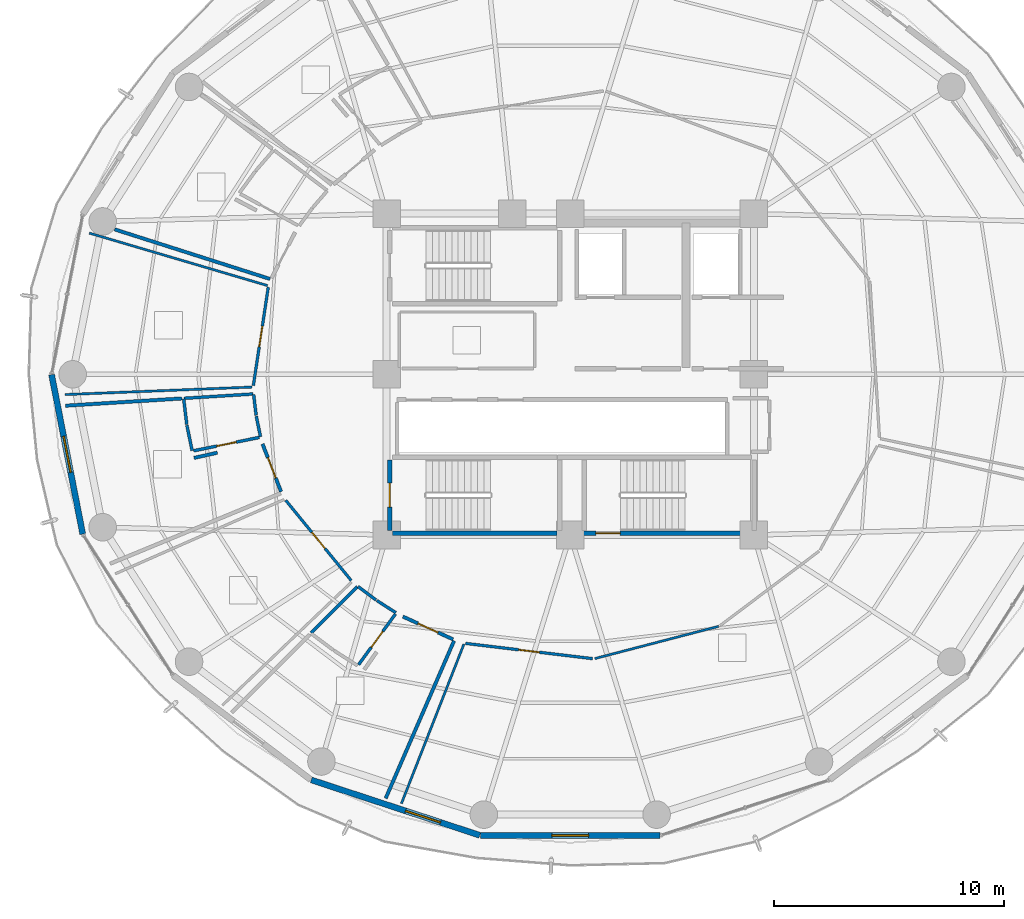
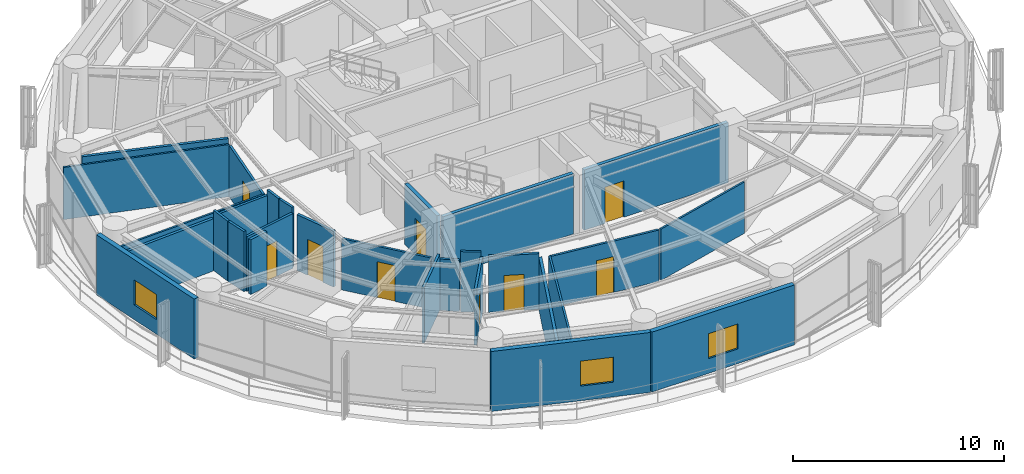
# One storey, part 21 of 27: 29 walls, 9 doors, 3 windows, 12 openings.
"""IFC4 building model written with IfcOpenShell, lengths in metres."""

from ifc_helpers import new_model, si_unit, direction, frame, frame_2d, origin, place, context, subcontext, project, spatial, rectangle, extrude, material, layer, layer_set, type_object, element, fill, save


model = new_model("IFC4")

# Units and contexts
model_context = context("Model", 3, precision=1e-05, world=origin(), true_north=direction((0.0, 1.0)))
body_context = subcontext(model_context, "Body", "Model", "MODEL_VIEW")
ifc_project = project(units=[si_unit("LENGTHUNIT", "METRE"), si_unit("AREAUNIT", "SQUARE_METRE"), si_unit("VOLUMEUNIT", "CUBIC_METRE"), si_unit("PLANEANGLEUNIT", "RADIAN"), si_unit("MASSUNIT", "GRAM", prefix="KILO")], contexts=[model_context])

# Site, building, storey
site_placement = place(None, origin())
site = spatial("IfcSite", under=ifc_project, at=site_placement, CompositionType="ELEMENT")
building_placement = place(site_placement, origin())
building = spatial("IfcBuilding", under=site, at=building_placement, Name="Kelanora Arch Commons", CompositionType="ELEMENT")
storey_placement = place(building_placement, frame((0.0, 0.0, 154.35009765625)))
storey = spatial("IfcBuildingStorey", under=building, at=storey_placement, Name="L39", CompositionType="ELEMENT", Elevation=154.35009765625)

# Wall, opening, door
ifc_material_1 = material(Name="Autoclaved aerated concrete blockwork with fire plaster", Category="masonry")
ifc_layer_1 = layer(ifc_material_1, 0.14990234375)
ifc_layer_set_1 = layer_set([ifc_layer_1], Name="Autoclaved aerated concrete blockwork with fire plaster")
wall_type_1 = type_object("IfcWallType", Name="W-COMP-150", PredefinedType="PARTITIONING", material=ifc_layer_set_1)
wall_1_placement = place(storey_placement, frame((60.5947265625, 54.964111328125, 0.0), z_axis=(0.0, 0.0, 1.0), x_axis=(0.361769005858, -0.932267765398, 0.0)))
wall_1 = element("IfcWall", 1, at=wall_1_placement, inside=storey, type_object=wall_type_1, Name="Co-Living Studio L39-04 Entry Partition", PredefinedType="PARTITIONING", context=body_context, shape_type="SweptSolid", body=[
    extrude(rectangle(XDim=2.22705078125, YDim=0.14990234375, at=frame_2d((1.113525390625, 0.0))), origin(), (0.0, 0.0, 1.0), 3.23486328125),
])
opening_1_placement = place(wall_1_placement, frame((0.638916015625, 0.0, 0.0)))
opening_1 = element("IfcOpeningElement", 2, at=opening_1_placement, cuts=wall_1, Name="Opening D-CLU1", PredefinedType="OPENING", context=body_context, shape_type="SweptSolid", body=[
    extrude(rectangle(XDim=0.949951171875, YDim=2.080078125, at=frame_2d((0.47509765625, 1.0400390625))), frame((0.0, 0.0849609375, 0.0), z_axis=(0.0, -1.0, 0.0), x_axis=(1.0, 0.0, 0.0)), (0.0, 0.0, 1.0), 0.169921875),
])
ifc_material_2 = material(Name="Solid-core acoustic timber cluster entry fire door", Category="wood")
door_type_1 = type_object("IfcDoorType", Name="D-CLU-95", OperationType="NOTDEFINED", PredefinedType="DOOR", material=ifc_material_2)
door_1_placement = place(opening_1_placement, origin())
door_1 = element("IfcDoor", 3, at=door_1_placement, inside=storey, type_object=door_type_1, Name="Co-Living Studio L39-04 Door", OperationType="SINGLE_SWING_LEFT", OverallHeight=2.080078125, OverallWidth=0.949951171875, PredefinedType="DOOR", context=body_context, shape_type="SweptSolid", body=[
    extrude(rectangle(XDim=0.949951171875, YDim=2.080078125, at=frame_2d((0.47509765625, 1.0400390625))), frame((0.0, 0.02490234375, 0.0), z_axis=(0.0, -1.0, 0.0), x_axis=(1.0, 0.0, 0.0)), (0.0, 0.0, 1.0), 0.050048828125),
])
fill(opening_1, door_1)

wall_2_placement = place(storey_placement, frame((66.706787109375, 47.4453125, 0.0), z_axis=(0.0, 0.0, 1.0), x_axis=(0.910872904928, -0.412686989216, 0.0)))
wall_2 = element("IfcWall", 4, at=wall_2_placement, inside=storey, type_object=wall_type_1, Name="Co-Living Studio L39-06 Entry Partition", PredefinedType="PARTITIONING", context=body_context, shape_type="SweptSolid", body=[
    extrude(rectangle(XDim=2.4072265625, YDim=0.14990234375, at=frame_2d((1.20361328125, 0.0))), origin(), (0.0, 0.0, 1.0), 3.23486328125),
])
opening_2_placement = place(wall_2_placement, frame((0.72900390625, 0.0, 0.0)))
opening_2 = element("IfcOpeningElement", 5, at=opening_2_placement, cuts=wall_2, Name="Opening D-CLU1", PredefinedType="OPENING", context=body_context, shape_type="SweptSolid", body=[
    extrude(rectangle(XDim=0.949951171875, YDim=2.080078125, at=frame_2d((0.47509765625, 1.0400390625))), frame((0.0, 0.0849609375, 0.0), z_axis=(0.0, -1.0, 0.0), x_axis=(1.0, 0.0, 0.0)), (0.0, 0.0, 1.0), 0.169921875),
])
door_2_placement = place(opening_2_placement, origin())
door_2 = element("IfcDoor", 6, at=door_2_placement, inside=storey, type_object=door_type_1, Name="Co-Living Studio L39-06 Door", OperationType="SINGLE_SWING_RIGHT", OverallHeight=2.080078125, OverallWidth=0.949951171875, PredefinedType="DOOR", context=body_context, shape_type="SweptSolid", body=[
    extrude(rectangle(XDim=0.949951171875, YDim=2.080078125, at=frame_2d((0.47509765625, 1.0400390625))), frame((0.0, 0.02490234375, 0.0), z_axis=(0.0, -1.0, 0.0), x_axis=(1.0, 0.0, 0.0)), (0.0, 0.0, 1.0), 0.050048828125),
])
fill(opening_2, door_2)

# Walls
wall_3_placement = place(storey_placement, frame((60.9228515625, 62.154296875, 0.0), z_axis=(0.0, 0.0, 1.0), x_axis=(-0.952653075659, 0.304059397878, 0.0)))
element("IfcWall", 7, at=wall_3_placement, inside=storey, type_object=wall_type_1, Name="Co-Living Studio L39-02 Enclosure Partition 2", PredefinedType="PARTITIONING", context=body_context, shape_type="SweptSolid", body=[
    extrude(rectangle(XDim=7.111572265625, YDim=0.14990234375, at=frame_2d((3.5556640625, 0.0))), origin(), (0.0, 0.0, 1.0), 3.1748046875),
])
wall_4_placement = place(storey_placement, frame((52.011962890625, 56.633544921875, 0.0), z_axis=(0.0, 0.0, 1.0), x_axis=(0.998071814667, 0.062069741162, 0.0)))
element("IfcWall", 8, at=wall_4_placement, inside=storey, type_object=wall_type_1, Name="Co-Living Studio L39-04 Enclosure Partition 5", PredefinedType="PARTITIONING", context=body_context, shape_type="SweptSolid", body=[
    extrude(rectangle(XDim=5.073974609375, YDim=0.14990234375, at=frame_2d((2.537109375, 0.0))), origin(), (0.0, 0.0, 1.0), 3.02490234375),
])
wall_5_placement = place(storey_placement, frame((57.60888671875, 54.358642578125, 0.0), z_axis=(0.0, 0.0, 1.0), x_axis=(0.97598825513, 0.217823152693, 0.0)))
element("IfcWall", 9, at=wall_5_placement, inside=storey, type_object=wall_type_1, Name="Co-Living Studio L39-04 Enclosure Partition 7", PredefinedType="PARTITIONING", context=body_context, shape_type="SweptSolid", body=[
    extrude(rectangle(XDim=1.04248046875, YDim=0.14990234375, at=frame_2d((0.521240234375, 0.0))), origin(), (0.0, 0.0, 1.0), 3.1748046875),
])
wall_6_placement = place(storey_placement, frame((68.93798828125, 46.390380859375, 0.0), z_axis=(0.0, 0.0, 1.0), x_axis=(-0.398074464123, -0.917353105959, 0.0)))
element("IfcWall", 10, at=wall_6_placement, inside=storey, type_object=wall_type_1, Name="Co-Living Studio L39-06 Enclosure Partition 2", PredefinedType="PARTITIONING", context=body_context, shape_type="SweptSolid", body=[
    extrude(rectangle(XDim=7.481201171875, YDim=0.14990234375, at=frame_2d((3.74072265625, 0.0))), origin(), (0.0, 0.0, 1.0), 3.02490234375),
])

# Wall, opening, window
ifc_material_3 = material(Name="Precast concrete C40/50 with terracotta rainscreen", Category="masonry")
ifc_layer_2 = layer(ifc_material_3, 0.260009765625)
ifc_layer_set_2 = layer_set([ifc_layer_2], Name="Precast concrete C40/50 with terracotta rainscreen")
wall_type_2 = type_object("IfcWallType", Name="W-EXT-TC", PredefinedType="SOLIDWALL", material=ifc_layer_set_2)
wall_7_placement = place(storey_placement, frame((51.40283203125, 57.9853515625, 0.0), z_axis=(0.0, 0.0, 1.0), x_axis=(0.191716984769, -0.981450252306, 0.0)))
wall_7 = element("IfcWall", 11, at=wall_7_placement, inside=storey, type_object=wall_type_2, Name="Terracotta Exterior Wall L39-B09", PredefinedType="SOLIDWALL", context=body_context, shape_type="SweptSolid", body=[
    extrude(rectangle(XDim=7.0791015625, YDim=0.260009765625, at=frame_2d((3.53955078125, 0.0))), origin(), (0.0, 0.0, 1.0), 3.474853515625),
])
opening_3_placement = place(wall_7_placement, frame((2.739990234375, 0.0, 0.85009765625)))
opening_3 = element("IfcOpeningElement", 12, at=opening_3_placement, cuts=wall_7, Name="Opening WN-01", PredefinedType="OPENING", context=body_context, shape_type="SweptSolid", body=[
    extrude(rectangle(XDim=1.60009765625, YDim=1.449951171875, at=frame_2d((0.800048828125, 0.72509765625))), frame((0.0, 0.14013671875, 0.0), z_axis=(0.0, -1.0, 0.0), x_axis=(1.0, 0.0, 0.0)), (0.0, 0.0, 1.0), 0.280029296875),
])
ifc_material_4 = material(Name="Terracotta-anodised aluminium frame with operable low-E glazing", Category="masonry")
window_type = type_object("IfcWindowType", Name="WIN-CL-18", PartitioningType="DOUBLE_PANEL_VERTICAL", PredefinedType="WINDOW", material=ifc_material_4)
window_1_placement = place(opening_3_placement, origin())
window_1 = element("IfcWindow", 13, at=window_1_placement, inside=storey, type_object=window_type, Name="Co-Living Operable Window L39-B09", OverallHeight=1.449951171875, OverallWidth=1.60009765625, PartitioningType="SINGLE_PANEL", PredefinedType="WINDOW", context=body_context, shape_type="SweptSolid", body=[
    extrude(rectangle(XDim=1.60009765625, YDim=1.449951171875, at=frame_2d((0.800048828125, 0.72509765625))), frame((0.0, 0.030029296875, 0.0), z_axis=(0.0, -1.0, 0.0), x_axis=(1.0, 0.0, 0.0)), (0.0, 0.0, 1.0), 0.06005859375),
])
fill(opening_3, window_1)

wall_8_placement = place(storey_placement, frame((62.71435546875, 40.328369140625, 0.0), z_axis=(0.0, 0.0, 1.0), x_axis=(0.950038302428, -0.312133343173, 0.0)))
wall_8 = element("IfcWall", 14, at=wall_8_placement, inside=storey, type_object=wall_type_2, Name="Terracotta Exterior Wall L39-B12", PredefinedType="SOLIDWALL", context=body_context, shape_type="SweptSolid", body=[
    extrude(rectangle(XDim=7.7333984375, YDim=0.260009765625, at=frame_2d((3.86669921875, 0.0))), origin(), (0.0, 0.0, 1.0), 3.474853515625),
])
opening_4_placement = place(wall_8_placement, frame((4.326904296875, 0.0, 0.85009765625)))
opening_4 = element("IfcOpeningElement", 15, at=opening_4_placement, cuts=wall_8, Name="Opening WN-01", PredefinedType="OPENING", context=body_context, shape_type="SweptSolid", body=[
    extrude(rectangle(XDim=1.60009765625, YDim=1.449951171875, at=frame_2d((0.800048828125, 0.72509765625))), frame((0.0, 0.14013671875, 0.0), z_axis=(0.0, -1.0, 0.0), x_axis=(1.0, 0.0, 0.0)), (0.0, 0.0, 1.0), 0.280029296875),
])
window_2_placement = place(opening_4_placement, origin())
window_2 = element("IfcWindow", 16, at=window_2_placement, inside=storey, type_object=window_type, Name="Co-Living Operable Window L39-B12", OverallHeight=1.449951171875, OverallWidth=1.60009765625, PartitioningType="SINGLE_PANEL", PredefinedType="WINDOW", context=body_context, shape_type="SweptSolid", body=[
    extrude(rectangle(XDim=1.60009765625, YDim=1.449951171875, at=frame_2d((0.800048828125, 0.72509765625))), frame((0.0, 0.030029296875, 0.0), z_axis=(0.0, -1.0, 0.0), x_axis=(1.0, 0.0, 0.0)), (0.0, 0.0, 1.0), 0.06005859375),
])
fill(opening_4, window_2)

wall_9_placement = place(storey_placement, frame((70.090576171875, 37.909912109375, 0.0), z_axis=(0.0, 0.0, 1.0), x_axis=(1.0, 0.0, 0.0)))
wall_9 = element("IfcWall", 17, at=wall_9_placement, inside=storey, type_object=wall_type_2, Name="Terracotta Exterior Wall L39-B13", PredefinedType="SOLIDWALL", context=body_context, shape_type="SweptSolid", body=[
    extrude(rectangle(XDim=7.81884765625, YDim=0.260009765625, at=frame_2d((3.909423828125, 0.0))), origin(), (0.0, 0.0, 1.0), 3.474853515625),
])
opening_5_placement = place(wall_9_placement, frame((3.10888671875, 0.0, 0.85009765625)))
opening_5 = element("IfcOpeningElement", 18, at=opening_5_placement, cuts=wall_9, Name="Opening WN-01", PredefinedType="OPENING", context=body_context, shape_type="SweptSolid", body=[
    extrude(rectangle(XDim=1.60009765625, YDim=1.449951171875, at=frame_2d((0.800048828125, 0.72509765625))), frame((0.0, 0.14013671875, 0.0), z_axis=(0.0, -1.0, 0.0), x_axis=(1.0, 0.0, 0.0)), (0.0, 0.0, 1.0), 0.280029296875),
])
window_3_placement = place(opening_5_placement, origin())
window_3 = element("IfcWindow", 19, at=window_3_placement, inside=storey, type_object=window_type, Name="Co-Living Operable Window L39-B13", OverallHeight=1.449951171875, OverallWidth=1.60009765625, PartitioningType="SINGLE_PANEL", PredefinedType="WINDOW", context=body_context, shape_type="SweptSolid", body=[
    extrude(rectangle(XDim=1.60009765625, YDim=1.449951171875, at=frame_2d((0.800048828125, 0.72509765625))), frame((0.0, 0.030029296875, 0.0), z_axis=(0.0, -1.0, 0.0), x_axis=(1.0, 0.0, 0.0)), (0.0, 0.0, 1.0), 0.06005859375),
])
fill(opening_5, window_3)

# Walls
ifc_material_5 = material(Name="Lightweight fire-rated acoustic stud partition")
ifc_layer_3 = layer(ifc_material_5, 0.10009765625)
ifc_layer_set_3 = layer_set([ifc_layer_3], Name="Lightweight fire-rated acoustic stud partition")
wall_type_3 = type_object("IfcWallType", Name="W-PART-100", PredefinedType="PARTITIONING", material=ifc_layer_set_3)
wall_10_placement = place(storey_placement, frame((75.069580078125, 45.614990234375, 0.0), z_axis=(0.0, 0.0, 1.0), x_axis=(0.967718115259, 0.252035016216, 0.0)))
element("IfcWall", 20, at=wall_10_placement, inside=storey, type_object=wall_type_3, Name="South-East Shared Study Commons L39 Enclosure Partition 2", PredefinedType="PARTITIONING", context=body_context, shape_type="SweptSolid", body=[
    extrude(rectangle(XDim=5.57470703125, YDim=0.10009765625, at=frame_2d((2.787353515625, 0.0))), origin(), (0.0, 0.0, 1.0), 2.974853515625),
])
wall_11_placement = place(storey_placement, frame((66.64453125, 39.297119140625, 0.0), z_axis=(0.0, 0.0, 1.0), x_axis=(0.364957999702, 0.931023983823, 0.0)))
element("IfcWall", 21, at=wall_11_placement, inside=storey, type_object=wall_type_3, Name="South-East Shared Study Commons L39 Enclosure Partition 10", PredefinedType="PARTITIONING", context=body_context, shape_type="SweptSolid", body=[
    extrude(rectangle(XDim=7.463623046875, YDim=0.10009765625, at=frame_2d((3.73193359375, 0.0))), origin(), (0.0, 0.0, 1.0), 3.02490234375),
])
wall_12_placement = place(storey_placement, frame((60.14404296875, 57.4453125, 0.0), z_axis=(0.0, 0.0, 1.0), x_axis=(-0.99919531507, -0.040108881097, 0.0)))
element("IfcWall", 22, at=wall_12_placement, inside=storey, type_object=wall_type_3, Name="Communal Dining and Social Hall L39-03 Enclosure Partition 2", PredefinedType="PARTITIONING", context=body_context, shape_type="SweptSolid", body=[
    extrude(rectangle(XDim=8.168701171875, YDim=0.10009765625, at=frame_2d((4.08447265625, 0.0))), origin(), (0.0, 0.0, 1.0), 3.02490234375),
])
wall_13_placement = place(storey_placement, frame((53.04736328125, 64.15380859375, 0.0), z_axis=(0.0, 0.0, 1.0), x_axis=(0.959252584651, -0.282549958133, 0.0)))
element("IfcWall", 23, at=wall_13_placement, inside=storey, type_object=wall_type_3, Name="Communal Dining and Social Hall L39-03 Enclosure Partition 4", PredefinedType="PARTITIONING", context=body_context, shape_type="SweptSolid", body=[
    extrude(rectangle(XDim=8.09619140625, YDim=0.10009765625, at=frame_2d((4.048095703125, 0.0))), origin(), (0.0, 0.0, 1.0), 3.02490234375),
])

# Wall, opening, door
ifc_material_6 = material(Name="Acoustic twin-stud fire-rated gypsum partition")
ifc_layer_4 = layer(ifc_material_6, 0.1201171875)
ifc_layer_set_4 = layer_set([ifc_layer_4], Name="Acoustic twin-stud fire-rated gypsum partition")
wall_type_4 = type_object("IfcWallType", Name="W-PART-120", PredefinedType="PARTITIONING", material=ifc_layer_set_4)
wall_14_placement = place(storey_placement, frame((69.442626953125, 46.27587890625, 0.0), z_axis=(0.0, 0.0, 1.0), x_axis=(0.992874348748, -0.119165966612, 0.0)))
wall_14 = element("IfcWall", 24, at=wall_14_placement, inside=storey, type_object=wall_type_4, Name="South-East Shared Study Commons L39 Entry Partition", PredefinedType="PARTITIONING", context=body_context, shape_type="SweptSolid", body=[
    extrude(rectangle(XDim=5.568603515625, YDim=0.1201171875, at=frame_2d((2.7841796875, 0.0))), origin(), (0.0, 0.0, 1.0), 2.974853515625),
])
opening_6_placement = place(wall_14_placement, frame((2.333984375, 0.0, 0.0)))
opening_6 = element("IfcOpeningElement", 25, at=opening_6_placement, cuts=wall_14, Name="Opening D-RM1", PredefinedType="OPENING", context=body_context, shape_type="SweptSolid", body=[
    extrude(rectangle(XDim=0.89990234375, YDim=2.080078125, at=frame_2d((0.449951171875, 1.0400390625))), frame((0.0, 0.070068359375, 0.0), z_axis=(0.0, -1.0, 0.0), x_axis=(1.0, 0.0, 0.0)), (0.0, 0.0, 1.0), 0.14013671875),
])
ifc_material_7 = material(Name="Acoustic fire-rated timber study and lounge door", Category="wood")
door_type_2 = type_object("IfcDoorType", Name="D-ROOM-90", OperationType="NOTDEFINED", PredefinedType="DOOR", material=ifc_material_7)
door_3_placement = place(opening_6_placement, origin())
door_3 = element("IfcDoor", 26, at=door_3_placement, inside=storey, type_object=door_type_2, Name="South-East Shared Study Commons L39 Door", OperationType="SINGLE_SWING_LEFT", OverallHeight=2.080078125, OverallWidth=0.89990234375, PredefinedType="DOOR", context=body_context, shape_type="SweptSolid", body=[
    extrude(rectangle(XDim=0.89990234375, YDim=2.080078125, at=frame_2d((0.449951171875, 1.0400390625))), frame((0.0, 0.02490234375, 0.0), z_axis=(0.0, -1.0, 0.0), x_axis=(1.0, 0.0, 0.0)), (0.0, 0.0, 1.0), 0.050048828125),
])
fill(opening_6, door_3)

wall_15_placement = place(storey_placement, frame((60.843017578125, 61.795654296875, 0.0), z_axis=(0.0, 0.0, 1.0), x_axis=(-0.149807046494, -0.988715251638, 0.0)))
wall_15 = element("IfcWall", 27, at=wall_15_placement, inside=storey, type_object=wall_type_4, Name="Communal Dining and Social Hall L39-03 Entry Partition", PredefinedType="PARTITIONING", context=body_context, shape_type="SweptSolid", body=[
    extrude(rectangle(XDim=4.33837890625, YDim=0.1201171875, at=frame_2d((2.169189453125, 0.0))), origin(), (0.0, 0.0, 1.0), 2.974853515625),
])
opening_7_placement = place(wall_15_placement, frame((1.718994140625, 0.0, 0.0)))
opening_7 = element("IfcOpeningElement", 28, at=opening_7_placement, cuts=wall_15, Name="Opening D-RM1", PredefinedType="OPENING", context=body_context, shape_type="SweptSolid", body=[
    extrude(rectangle(XDim=0.89990234375, YDim=2.080078125, at=frame_2d((0.449951171875, 1.0400390625))), frame((0.0, 0.070068359375, 0.0), z_axis=(0.0, -1.0, 0.0), x_axis=(1.0, 0.0, 0.0)), (0.0, 0.0, 1.0), 0.14013671875),
])
door_4_placement = place(opening_7_placement, origin())
door_4 = element("IfcDoor", 29, at=door_4_placement, inside=storey, type_object=door_type_2, Name="Communal Dining and Social Hall L39-03 Door", OperationType="SINGLE_SWING_LEFT", OverallHeight=2.080078125, OverallWidth=0.89990234375, PredefinedType="DOOR", context=body_context, shape_type="SweptSolid", body=[
    extrude(rectangle(XDim=0.89990234375, YDim=2.080078125, at=frame_2d((0.449951171875, 1.0400390625))), frame((0.0, 0.02490234375, 0.0), z_axis=(0.0, -1.0, 0.0), x_axis=(1.0, 0.0, 0.0)), (0.0, 0.0, 1.0), 0.050048828125),
])
fill(opening_7, door_4)

wall_16_placement = place(storey_placement, frame((61.60400390625, 52.511474609375, 0.0), z_axis=(0.0, 0.0, 1.0), x_axis=(0.632491819148, -0.77456703952, 0.0)))
wall_16 = element("IfcWall", 30, at=wall_16_placement, inside=storey, type_object=wall_type_4, Name="Social Sky Lounge L39-05 Entry Partition", PredefinedType="PARTITIONING", context=body_context, shape_type="SweptSolid", body=[
    extrude(rectangle(XDim=4.5107421875, YDim=0.1201171875, at=frame_2d((2.25537109375, 0.0))), origin(), (0.0, 0.0, 1.0), 2.974853515625),
])
opening_8_placement = place(wall_16_placement, frame((1.804931640625, 0.0, 0.0)))
opening_8 = element("IfcOpeningElement", 31, at=opening_8_placement, cuts=wall_16, Name="Opening D-RM1", PredefinedType="OPENING", context=body_context, shape_type="SweptSolid", body=[
    extrude(rectangle(XDim=0.89990234375, YDim=2.080078125, at=frame_2d((0.449951171875, 1.0400390625))), frame((0.0, 0.070068359375, 0.0), z_axis=(0.0, -1.0, 0.0), x_axis=(1.0, 0.0, 0.0)), (0.0, 0.0, 1.0), 0.14013671875),
])
door_5_placement = place(opening_8_placement, origin())
door_5 = element("IfcDoor", 32, at=door_5_placement, inside=storey, type_object=door_type_2, Name="Social Sky Lounge L39-05 Door", OperationType="SINGLE_SWING_RIGHT", OverallHeight=2.080078125, OverallWidth=0.89990234375, PredefinedType="DOOR", context=body_context, shape_type="SweptSolid", body=[
    extrude(rectangle(XDim=0.89990234375, YDim=2.080078125, at=frame_2d((0.449951171875, 1.0400390625))), frame((0.0, 0.02490234375, 0.0), z_axis=(0.0, -1.0, 0.0), x_axis=(1.0, 0.0, 0.0)), (0.0, 0.0, 1.0), 0.050048828125),
])
fill(opening_8, door_5)

ifc_material_8 = material(Name="Concrete C40/50", Category="concrete")
ifc_layer_5 = layer(ifc_material_8, 0.199951171875)
ifc_layer_set_5 = layer_set([ifc_layer_5], Name="Concrete C40/50")
wall_type_5 = type_object("IfcWallType", Name="W-STAIR-200", PredefinedType="SHEAR", material=ifc_layer_set_5)
wall_17_placement = place(storey_placement, frame((74.0, 51.080078125, 0.0), z_axis=(0.0, 0.0, 1.0), x_axis=(1.0, 0.0, 0.0)))
wall_17 = element("IfcWall", 33, at=wall_17_placement, inside=storey, type_object=wall_type_5, Name="Stair ST-T2 Shaft Wall S L39", PredefinedType="SHEAR", context=body_context, shape_type="SweptSolid", body=[
    extrude(rectangle(XDim=7.89990234375, YDim=0.199951171875, at=frame_2d((3.949951171875, 0.0))), origin(), (0.0, 0.0, 1.0), 3.489990234375),
])
opening_9_placement = place(wall_17_placement, frame((1.1201171875, 0.0, 0.0)))
opening_9 = element("IfcOpeningElement", 34, at=opening_9_placement, cuts=wall_17, Name="Opening D-ST1", PredefinedType="OPENING", context=body_context, shape_type="SweptSolid", body=[
    extrude(rectangle(XDim=1.050048828125, YDim=2.10009765625, at=frame_2d((0.52490234375, 1.050048828125))), frame((0.0, 0.10986328125, 0.0), z_axis=(0.0, -1.0, 0.0), x_axis=(1.0, 0.0, 0.0)), (0.0, 0.0, 1.0), 0.219970703125),
])
ifc_material_9 = material(Name="Steel fire-rated stairwell escape door", Category="steel")
door_type_3 = type_object("IfcDoorType", Name="D-STAIR-110", OperationType="NOTDEFINED", PredefinedType="DOOR", material=ifc_material_9)
door_6_placement = place(opening_9_placement, origin())
door_6 = element("IfcDoor", 35, at=door_6_placement, inside=storey, type_object=door_type_3, Name="Stair ST-T2 Escape Door L39", OperationType="SINGLE_SWING_LEFT", OverallHeight=2.10009765625, OverallWidth=1.050048828125, PredefinedType="DOOR", context=body_context, shape_type="SweptSolid", body=[
    extrude(rectangle(XDim=1.050048828125, YDim=2.10009765625, at=frame_2d((0.52490234375, 1.050048828125))), frame((0.0, 0.02490234375, 0.0), z_axis=(0.0, -1.0, 0.0), x_axis=(1.0, 0.0, 0.0)), (0.0, 0.0, 1.0), 0.050048828125),
])
fill(opening_9, door_6)

# Wall
wall_18_placement = place(storey_placement, frame((66.260009765625, 51.080078125, 0.0), z_axis=(0.0, 0.0, 1.0), x_axis=(1.0, 0.0, 0.0)))
element("IfcWall", 36, at=wall_18_placement, inside=storey, type_object=wall_type_5, Name="Stair ST-T3 Shaft Wall S L39", PredefinedType="SHEAR", context=body_context, shape_type="SweptSolid", body=[
    extrude(rectangle(XDim=7.159912109375, YDim=0.199951171875, at=frame_2d((3.580078125, 0.0))), origin(), (0.0, 0.0, 1.0), 3.489990234375),
])

# Wall, opening, door
wall_19_placement = place(storey_placement, frame((66.139892578125, 54.27001953125, 0.0), z_axis=(0.0, 0.0, 1.0), x_axis=(0.0, -1.0, 0.0)))
wall_19 = element("IfcWall", 37, at=wall_19_placement, inside=storey, type_object=wall_type_5, Name="Stair ST-T3 Shaft Wall W L39", PredefinedType="SHEAR", context=body_context, shape_type="SweptSolid", body=[
    extrude(rectangle(XDim=3.070068359375, YDim=0.199951171875, at=frame_2d((1.53515625, 0.0))), origin(), (0.0, 0.0, 1.0), 3.489990234375),
])
opening_10_placement = place(wall_19_placement, frame((1.010009765625, 0.0, 0.0)))
opening_10 = element("IfcOpeningElement", 38, at=opening_10_placement, cuts=wall_19, Name="Opening D-ST1", PredefinedType="OPENING", context=body_context, shape_type="SweptSolid", body=[
    extrude(rectangle(XDim=1.050048828125, YDim=2.10009765625, at=frame_2d((0.52490234375, 1.050048828125))), frame((0.0, 0.10986328125, 0.0), z_axis=(0.0, -1.0, 0.0), x_axis=(1.0, 0.0, 0.0)), (0.0, 0.0, 1.0), 0.219970703125),
])
door_7_placement = place(opening_10_placement, origin())
door_7 = element("IfcDoor", 39, at=door_7_placement, inside=storey, type_object=door_type_3, Name="Stair ST-T3 Escape Door L39", OperationType="SINGLE_SWING_LEFT", OverallHeight=2.10009765625, OverallWidth=1.050048828125, PredefinedType="DOOR", context=body_context, shape_type="SweptSolid", body=[
    extrude(rectangle(XDim=1.050048828125, YDim=2.10009765625, at=frame_2d((0.52490234375, 1.050048828125))), frame((0.0, 0.02490234375, 0.0), z_axis=(0.0, -1.0, 0.0), x_axis=(1.0, 0.0, 0.0)), (0.0, 0.0, 1.0), 0.050048828125),
])
fill(opening_10, door_7)

ifc_material_10 = material(Name="Moisture-resistant fire-rated cement-board plumbing wall")
ifc_layer_6 = layer(ifc_material_10, 0.1298828125)
ifc_layer_set_6 = layer_set([ifc_layer_6], Name="Moisture-resistant fire-rated cement-board plumbing wall")
wall_type_6 = type_object("IfcWallType", Name="W-WET-120", PredefinedType="PLUMBINGWALL", material=ifc_layer_set_6)
wall_20_placement = place(storey_placement, frame((60.4501953125, 55.2509765625, 0.0), z_axis=(0.0, 0.0, 1.0), x_axis=(-0.979866857251, -0.199652052484, 0.0)))
wall_20 = element("IfcWall", 40, at=wall_20_placement, inside=storey, type_object=wall_type_6, Name="En-Suite Shower WC L39-04 Entry Partition", PredefinedType="PLUMBINGWALL", context=body_context, shape_type="SweptSolid", body=[
    extrude(rectangle(XDim=2.920166015625, YDim=0.1298828125, at=frame_2d((1.4599609375, 0.0))), origin(), (0.0, 0.0, 1.0), 3.1748046875),
])
opening_11_placement = place(wall_20_placement, frame((1.030029296875, 0.0, 0.0)))
opening_11 = element("IfcOpeningElement", 41, at=opening_11_placement, cuts=wall_20, Name="Opening D-BT1", PredefinedType="OPENING", context=body_context, shape_type="SweptSolid", body=[
    extrude(rectangle(XDim=0.860107421875, YDim=2.050048828125, at=frame_2d((0.43017578125, 1.02490234375))), frame((0.0, 0.074951171875, 0.0), z_axis=(0.0, -1.0, 0.0), x_axis=(1.0, 0.0, 0.0)), (0.0, 0.0, 1.0), 0.14990234375),
])
ifc_material_11 = material(Name="Moisture-sealed fire-rated accessible bathroom door")
door_type_4 = type_object("IfcDoorType", Name="D-BATH-85", OperationType="NOTDEFINED", PredefinedType="DOOR", material=ifc_material_11)
door_8_placement = place(opening_11_placement, origin())
door_8 = element("IfcDoor", 42, at=door_8_placement, inside=storey, type_object=door_type_4, Name="En-Suite Shower WC L39-04 Door", OperationType="SINGLE_SWING_RIGHT", OverallHeight=2.050048828125, OverallWidth=0.860107421875, PredefinedType="DOOR", context=body_context, shape_type="SweptSolid", body=[
    extrude(rectangle(XDim=0.860107421875, YDim=2.050048828125, at=frame_2d((0.43017578125, 1.02490234375))), frame((0.0, 0.02490234375, 0.0), z_axis=(0.0, -1.0, 0.0), x_axis=(1.0, 0.0, 0.0)), (0.0, 0.0, 1.0), 0.050048828125),
])
fill(opening_11, door_8)

wall_21_placement = place(storey_placement, frame((66.3828125, 47.555419921875, 0.0), z_axis=(0.0, 0.0, 1.0), x_axis=(-0.588001344837, -0.808859949849, 0.0)))
wall_21 = element("IfcWall", 43, at=wall_21_placement, inside=storey, type_object=wall_type_6, Name="En-Suite Shower WC L39-06 Entry Partition", PredefinedType="PLUMBINGWALL", context=body_context, shape_type="SweptSolid", body=[
    extrude(rectangle(XDim=2.72705078125, YDim=0.1298828125, at=frame_2d((1.363525390625, 0.0))), origin(), (0.0, 0.0, 1.0), 3.23486328125),
])
opening_12_placement = place(wall_21_placement, frame((0.93408203125, 0.0, 0.0)))
opening_12 = element("IfcOpeningElement", 44, at=opening_12_placement, cuts=wall_21, Name="Opening D-BT1", PredefinedType="OPENING", context=body_context, shape_type="SweptSolid", body=[
    extrude(rectangle(XDim=0.860107421875, YDim=2.050048828125, at=frame_2d((0.43017578125, 1.02490234375))), frame((0.0, 0.074951171875, 0.0), z_axis=(0.0, -1.0, 0.0), x_axis=(1.0, 0.0, 0.0)), (0.0, 0.0, 1.0), 0.14990234375),
])
door_9_placement = place(opening_12_placement, origin())
door_9 = element("IfcDoor", 45, at=door_9_placement, inside=storey, type_object=door_type_4, Name="En-Suite Shower WC L39-06 Door", OperationType="SINGLE_SWING_LEFT", OverallHeight=2.050048828125, OverallWidth=0.860107421875, PredefinedType="DOOR", context=body_context, shape_type="SweptSolid", body=[
    extrude(rectangle(XDim=0.860107421875, YDim=2.050048828125, at=frame_2d((0.43017578125, 1.02490234375))), frame((0.0, 0.02490234375, 0.0), z_axis=(0.0, -1.0, 0.0), x_axis=(1.0, 0.0, 0.0)), (0.0, 0.0, 1.0), 0.050048828125),
])
fill(opening_12, door_9)

# Walls
wall_22_placement = place(storey_placement, frame((60.205322265625, 57.1240234375, 0.0), z_axis=(0.0, 0.0, 1.0), x_axis=(0.118797046487, -0.992918557459, 0.0)))
element("IfcWall", 46, at=wall_22_placement, inside=storey, type_object=wall_type_6, Name="En-Suite Shower WC L39-04 Enclosure Partition 1", PredefinedType="PLUMBINGWALL", context=body_context, shape_type="SweptSolid", body=[
    extrude(rectangle(XDim=0.912353515625, YDim=0.1298828125, at=frame_2d((0.4560546875, 0.0))), origin(), (0.0, 0.0, 1.0), 3.47998046875),
])
wall_23_placement = place(storey_placement, frame((60.320068359375, 56.178466796875, 0.0), z_axis=(0.0, 0.0, 1.0), x_axis=(0.202067144879, -0.979371670491, 0.0)))
element("IfcWall", 47, at=wall_23_placement, inside=storey, type_object=wall_type_6, Name="En-Suite Shower WC L39-04 Enclosure Partition 2", PredefinedType="PLUMBINGWALL", context=body_context, shape_type="SweptSolid", body=[
    extrude(rectangle(XDim=0.91455078125, YDim=0.1298828125, at=frame_2d((0.457275390625, 0.0))), origin(), (0.0, 0.0, 1.0), 3.47998046875),
])
wall_24_placement = place(storey_placement, frame((57.52587890625, 54.675537109375, 0.0), z_axis=(0.0, 0.0, 1.0), x_axis=(-0.202111317069, 0.979362555703, 0.0)))
element("IfcWall", 48, at=wall_24_placement, inside=storey, type_object=wall_type_6, Name="En-Suite Shower WC L39-04 Enclosure Partition 4", PredefinedType="PLUMBINGWALL", context=body_context, shape_type="SweptSolid", body=[
    extrude(rectangle(XDim=1.126953125, YDim=0.1298828125, at=frame_2d((0.5634765625, 0.0))), origin(), (0.0, 0.0, 1.0), 3.47998046875),
])
wall_25_placement = place(storey_placement, frame((57.29150390625, 55.81884765625, 0.0), z_axis=(0.0, 0.0, 1.0), x_axis=(-0.11846804652, 0.992957865145, 0.0)))
element("IfcWall", 49, at=wall_25_placement, inside=storey, type_object=wall_type_6, Name="En-Suite Shower WC L39-04 Enclosure Partition 5", PredefinedType="PLUMBINGWALL", context=body_context, shape_type="SweptSolid", body=[
    extrude(rectangle(XDim=1.123046875, YDim=0.1298828125, at=frame_2d((0.5615234375, 0.0))), origin(), (0.0, 0.0, 1.0), 3.47998046875),
])
wall_26_placement = place(storey_placement, frame((57.176025390625, 56.955078125, 0.0), z_axis=(0.0, 0.0, 1.0), x_axis=(0.998056675164, 0.062312704652, 0.0)))
element("IfcWall", 50, at=wall_26_placement, inside=storey, type_object=wall_type_6, Name="En-Suite Shower WC L39-04 Enclosure Partition 6", PredefinedType="PLUMBINGWALL", context=body_context, shape_type="SweptSolid", body=[
    extrude(rectangle(XDim=3.012939453125, YDim=0.1298828125, at=frame_2d((1.50634765625, 0.0))), origin(), (0.0, 0.0, 1.0), 3.1748046875),
])
wall_27_placement = place(storey_placement, frame((64.759033203125, 48.7529296875, 0.0), z_axis=(0.0, 0.0, 1.0), x_axis=(0.800390142897, -0.599479456824, 0.0)))
element("IfcWall", 51, at=wall_27_placement, inside=storey, type_object=wall_type_6, Name="En-Suite Shower WC L39-06 Enclosure Partition 1", PredefinedType="PLUMBINGWALL", context=body_context, shape_type="SweptSolid", body=[
    extrude(rectangle(XDim=0.975830078125, YDim=0.1298828125, at=frame_2d((0.48779296875, 0.0))), origin(), (0.0, 0.0, 1.0), 2.974853515625),
])
wall_28_placement = place(storey_placement, frame((65.57275390625, 48.145263671875, 0.0), z_axis=(0.0, 0.0, 1.0), x_axis=(0.842104586495, -0.539314254776, 0.0)))
element("IfcWall", 52, at=wall_28_placement, inside=storey, type_object=wall_type_6, Name="En-Suite Shower WC L39-06 Enclosure Partition 2", PredefinedType="PLUMBINGWALL", context=body_context, shape_type="SweptSolid", body=[
    extrude(rectangle(XDim=0.983642578125, YDim=0.1298828125, at=frame_2d((0.49169921875, 0.0))), origin(), (0.0, 0.0, 1.0), 3.47998046875),
])
wall_29_placement = place(storey_placement, frame((62.713134765625, 46.733154296875, 0.0), z_axis=(0.0, 0.0, 1.0), x_axis=(0.706764315195, 0.707449081396, 0.0)))
element("IfcWall", 53, at=wall_29_placement, inside=storey, type_object=wall_type_6, Name="En-Suite Shower WC L39-06 Enclosure Partition 6", PredefinedType="PLUMBINGWALL", context=body_context, shape_type="SweptSolid", body=[
    extrude(rectangle(XDim=2.852294921875, YDim=0.1298828125, at=frame_2d((1.42626953125, 0.0))), origin(), (0.0, 0.0, 1.0), 3.23486328125),
])

save(model, "model.ifc")
